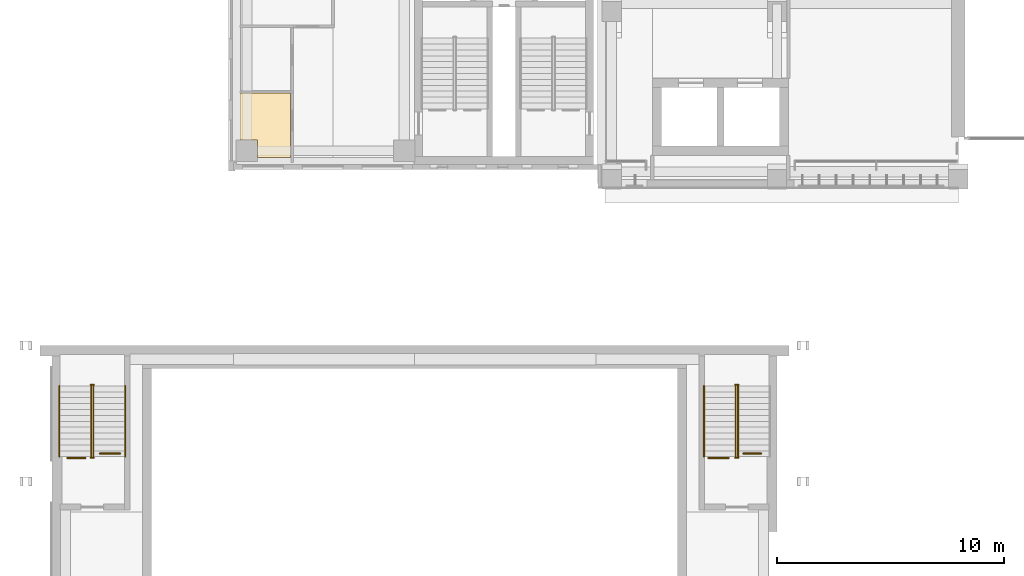
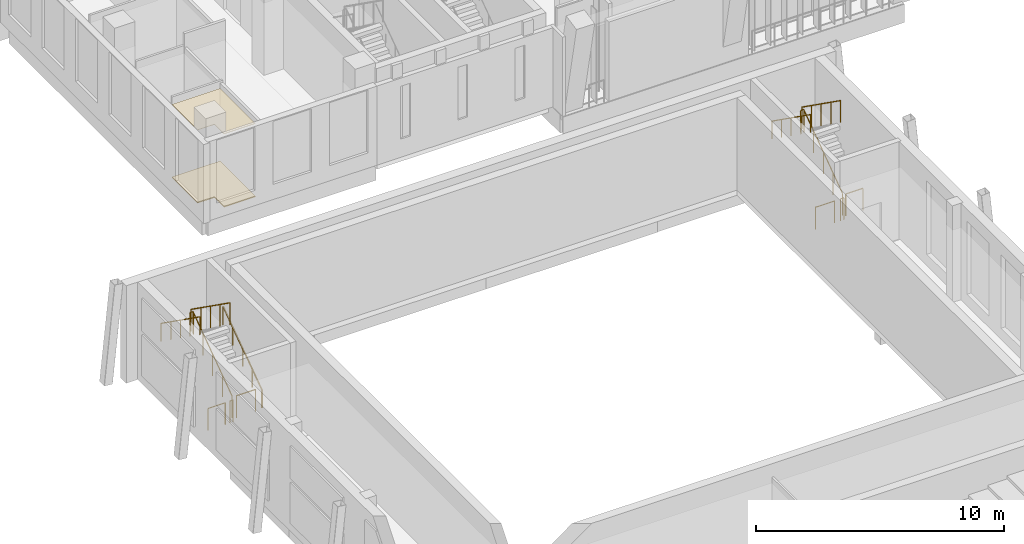
# One storey, part 73 of 92: 15 railings, 2 coverings.
"""IFC4 building model written with IfcOpenShell, lengths in metres."""

import ifcopenshell
import ifcopenshell.guid

model = None  # the IFC model being written
_history = None  # IfcOwnerHistory: only IFC2X3 demands one
_inside = {}  # id of a spatial element -> (the spatial element, [elements in it])
_under = {}  # id of a project, library or spatial element -> (it, [spatial elements below it])
_declared = {}  # id of a project -> (the project, [libraries it declares])
_typed = {}  # id of a type object -> (the type object, [elements of that type])
_made_of = {}  # id of a material, layer set ... -> (it, [elements and type objects made of it])


def new_model(schema):
    """Start an empty IFC model of exactly this schema.

    Asked for "IFC4X3", IfcOpenShell would pick the latest addendum, in which some entities
    have other attributes; the version numbers below select the first issue.
    IFC2X3 requires an IfcOwnerHistory on every rooted entity: one is made here for all.
    """
    global model, _history
    if schema == "IFC4X3":
        model = ifcopenshell.file(schema_version=(4, 3, 0, 0))
    else:
        model = ifcopenshell.file(schema=schema)
    _inside.clear()
    _under.clear()
    _declared.clear()
    _typed.clear()
    _made_of.clear()
    _history = None
    if model.schema == "IFC2X3":
        org = make("IfcOrganization", Name="unknown")
        user = make(
            "IfcPersonAndOrganization",
            ThePerson=make("IfcPerson", FamilyName="unknown"),
            TheOrganization=org,
        )
        app = make(
            "IfcApplication",
            ApplicationDeveloper=org,
            Version="unknown",
            ApplicationFullName="unknown",
            ApplicationIdentifier="unknown",
        )
        _history = make(
            "IfcOwnerHistory",
            OwningUser=user,
            OwningApplication=app,
            ChangeAction="ADDED",
            CreationDate=0,
        )
    return model


def make(cls, **values):
    """One entity of the class cls with the attributes given. An attribute that is None is left unset."""
    return model.create_entity(
        cls, **{name: value for name, value in values.items() if value is not None}
    )


def rooted(cls, **values):
    """An entity with a GlobalId (a new one), such as an element, a storey or a relation."""
    return make(cls, GlobalId=ifcopenshell.guid.new(), OwnerHistory=_history, **values)


def si_unit(unit_type, name, prefix=None):
    """IfcSIUnit, for example si_unit("LENGTHUNIT", "METRE", prefix="MILLI")."""
    return make("IfcSIUnit", UnitType=unit_type, Prefix=prefix, Name=name)


def assignment(units):
    """IfcUnitAssignment: the units of a project."""
    return None if units is None else make("IfcUnitAssignment", Units=units)


def point(xyz):
    """IfcCartesianPoint."""
    return None if xyz is None else make("IfcCartesianPoint", Coordinates=xyz)


def direction(xyz):
    """IfcDirection."""
    return None if xyz is None else make("IfcDirection", DirectionRatios=xyz)


def frame(location, z_axis=None, x_axis=None):
    """IfcAxis2Placement3D, a coordinate frame: its origin and axes. An axis left out is left unset."""
    return make(
        "IfcAxis2Placement3D",
        Location=point(location),
        Axis=direction(z_axis),
        RefDirection=direction(x_axis),
    )


def frame_2d(location, x_axis=None):
    """IfcAxis2Placement2D, a coordinate frame in the plane: its origin and x axis."""
    return make(
        "IfcAxis2Placement2D", Location=point(location), RefDirection=direction(x_axis)
    )


def origin():
    """The frame at (0, 0, 0) with its axes left unset."""
    return frame((0.0, 0.0, 0.0))


def origin_2d():
    """The frame at (0, 0) in the plane with its x axis left unset."""
    return frame_2d((0.0, 0.0))


def place(relative_to, where):
    """IfcLocalPlacement: puts the frame where relative to a parent placement (None: the world)."""
    return make(
        "IfcLocalPlacement", PlacementRelTo=relative_to, RelativePlacement=where
    )


def context(
    kind, dimensions, precision=None, world=None, true_north=None, identifier=None
):
    """IfcGeometricRepresentationContext, for example the 3D "Model" context."""
    return make(
        "IfcGeometricRepresentationContext",
        ContextIdentifier=identifier,
        ContextType=kind,
        CoordinateSpaceDimension=dimensions,
        Precision=precision,
        WorldCoordinateSystem=world,
        TrueNorth=true_north,
    )


def subcontext(parent, identifier, kind, view, scale=None):
    """IfcGeometricRepresentationSubContext, for example "Body" below "Model"."""
    return make(
        "IfcGeometricRepresentationSubContext",
        ContextIdentifier=identifier,
        ContextType=kind,
        ParentContext=parent,
        TargetScale=scale,
        TargetView=view,
    )


def project(units=None, contexts=None):
    """IfcProject with its units and contexts."""
    return rooted(
        "IfcProject",
        Name="project",
        RepresentationContexts=contexts,
        UnitsInContext=assignment(units),
    )


def spatial(cls, under=None, at=None, **own):
    """A site, building, storey or space (cls), placed at a placement, below another one or the project."""
    s = rooted(cls, ObjectPlacement=at, **own)
    if under is not None:
        _under.setdefault(under.id(), (under, []))[1].append(s)
    return s


def polyline(points):
    """IfcPolyline through the points."""
    return make("IfcPolyline", Points=[point(p) for p in points])


def profile(cls, at=None, kind="AREA", **sizes):
    """A parametric profile (cls). Its sizes go by their IFC names, for example OverallWidth=200.0."""
    return make(cls, ProfileType=kind, Position=at, **sizes)


def circle(**sizes):
    """IfcCircleProfileDef."""
    return profile("IfcCircleProfileDef", **sizes)


def outline(outer, holes=None, kind="AREA"):
    """IfcArbitraryClosedProfileDef: a profile drawn as a closed curve; with holes, ...WithVoids."""
    if holes is None:
        return make("IfcArbitraryClosedProfileDef", ProfileType=kind, OuterCurve=outer)
    return make(
        "IfcArbitraryProfileDefWithVoids",
        ProfileType=kind,
        OuterCurve=outer,
        InnerCurves=holes,
    )


def extrude(swept, where, along, depth):
    """IfcExtrudedAreaSolid: the profile swept, set in the frame where, extruded along a direction by depth."""
    return make(
        "IfcExtrudedAreaSolid",
        SweptArea=swept,
        Position=where,
        ExtrudedDirection=direction(along),
        Depth=depth,
    )


def shape(context_of_items, identifier, shape_type, items):
    """IfcShapeRepresentation: the items that make up one representation, for example the "Body"."""
    return make(
        "IfcShapeRepresentation",
        ContextOfItems=context_of_items,
        RepresentationIdentifier=identifier,
        RepresentationType=shape_type,
        Items=items,
    )


def material(Name=None, Category=None):
    """IfcMaterial."""
    return make("IfcMaterial", Name=Name, Category=Category)


def layer(
    of_material, thickness, ventilated=None, Name=None, Category=None, Priority=None
):
    """IfcMaterialLayer: one layer of a wall or slab, of a material (None: an air gap)."""
    return make(
        "IfcMaterialLayer",
        Material=of_material,
        LayerThickness=thickness,
        IsVentilated=ventilated,
        Name=Name,
        Category=Category,
        Priority=Priority,
    )


def layer_set(layers, Name=None):
    """IfcMaterialLayerSet."""
    return make("IfcMaterialLayerSet", MaterialLayers=layers, LayerSetName=Name)


def made_of(thing, what):
    """Note that an element or type object is made of a material, layer set ...; save() writes the relation."""
    if what is not None:
        _made_of.setdefault(what.id(), (what, []))[1].append(thing)
    return thing


def type_object(cls, material=None, **own):
    """A type object (cls), such as IfcWallType, which elements share."""
    return made_of(rooted(cls, **own), material)


def element(
    cls,
    number,
    at=None,
    inside=None,
    cuts=None,
    type_object=None,
    material=None,
    context=None,
    identifier="Body",
    shape_type=None,
    held_by="IfcProductDefinitionShape",
    body=None,
    shapes=None,
    **own,
):
    """One element of the class cls, such as IfcWall. Its Tag is "e" and its number.

    at: its placement. inside: the storey or other place that contains it. cuts: it is an
    opening in that element (IfcRelVoidsElement). A single representation is given by context,
    identifier, shape_type and body (its items); several are given by shapes. held_by: the class
    of the entity that holds the representations. save() writes the other relations.
    """
    e = rooted(cls, Tag="e%d" % number, ObjectPlacement=at, **own)
    if body is not None:
        shapes = [shape(context, identifier, shape_type, body)]
    if shapes is not None:
        e.Representation = make(held_by, Representations=shapes)
    if inside is not None:
        _inside.setdefault(inside.id(), (inside, []))[1].append(e)
    if cuts is not None:
        rooted(
            "IfcRelVoidsElement", RelatingBuildingElement=cuts, RelatedOpeningElement=e
        )
    if type_object is not None:
        _typed.setdefault(type_object.id(), (type_object, []))[1].append(e)
    return made_of(e, material)


def aggregate(whole, parts):
    """IfcRelAggregates: a whole, such as a stair, and the parts it consists of."""
    return rooted("IfcRelAggregates", RelatingObject=whole, RelatedObjects=parts)


def save(model, path):
    """Write the relations noted so far, then the file.

    IfcRelAggregates (storeys below a building ...), IfcRelContainedInSpatialStructure (elements
    in a storey), IfcRelDefinesByType, IfcRelAssociatesMaterial and IfcRelDeclares: one each for
    every whole, place, type object, material and project.
    """
    for whole, parts in _under.values():
        aggregate(whole, parts)
    for where, things in _inside.values():
        rooted(
            "IfcRelContainedInSpatialStructure",
            RelatedElements=things,
            RelatingStructure=where,
        )
    for kind, things in _typed.values():
        rooted("IfcRelDefinesByType", RelatedObjects=things, RelatingType=kind)
    for what, things in _made_of.values():
        rooted("IfcRelAssociatesMaterial", RelatedObjects=things, RelatingMaterial=what)
    for by, libraries in _declared.values():
        rooted("IfcRelDeclares", RelatingContext=by, RelatedDefinitions=libraries)
    model.write(path)


model = new_model("IFC4")

# Units and contexts
model_context = context("Model", 3, precision=1e-05, world=origin(), true_north=direction((0.0, 1.0)))
body_context = subcontext(model_context, "Body", "Model", "MODEL_VIEW")
ifc_project = project(units=[si_unit("LENGTHUNIT", "METRE"), si_unit("AREAUNIT", "SQUARE_METRE"), si_unit("VOLUMEUNIT", "CUBIC_METRE"), si_unit("PLANEANGLEUNIT", "RADIAN"), si_unit("MASSUNIT", "GRAM", prefix="KILO")], contexts=[model_context])

# Site, building, storey
site_placement = place(None, origin())
site = spatial("IfcSite", under=ifc_project, at=site_placement, CompositionType="ELEMENT")
building_placement = place(site_placement, origin())
building = spatial("IfcBuilding", under=site, at=building_placement, Name="Lantern Court Media Centre", CompositionType="ELEMENT")
storey_placement = place(building_placement, frame((0.0, 0.0, 4.800048828125)))
storey = spatial("IfcBuildingStorey", under=building, at=storey_placement, Name="L01", CompositionType="ELEMENT", Elevation=4.800048828125)

# Covering
ifc_material_1 = material(Name="Carpet")
ifc_layer_1 = layer(ifc_material_1, 0.050048828125)
ifc_layer_set_1 = layer_set([ifc_layer_1], Name="Carpet")
covering_type_1 = type_object("IfcCoveringType", Name="Carpet floor finish", PredefinedType="FLOORING", material=ifc_layer_set_1)
covering_1_placement = place(storey_placement, origin())
element("IfcCovering", 1, at=covering_1_placement, inside=storey, type_object=covering_type_1, Name="WC Male floor finish", PredefinedType="FLOORING", context=body_context, shape_type="SweptSolid", body=[
    extrude(outline(polyline([(8.300048828125, 51.14111328125), (10.532470703125, 51.14111328125), (10.532470703125, 48.300048828125), (9.080078125, 48.300048828125), (9.07861328125, 49.07861328125), (8.300048828125, 49.080078125), (8.300048828125, 51.14111328125)])), origin(), (0.0, 0.0, 1.0), 0.050048828125),
])

# Railings
ifc_material_2 = material(Name="Powder-coated steel", Category="steel")
railing_type_1 = type_object("IfcRailingType", Name="Floor edge guard 1100", PredefinedType="GUARDRAIL", material=ifc_material_2)
railing_1_placement = place(storey_placement, frame((0.678955078125, 35.0400390625, 0.0)))
element("IfcRailing", 2, at=railing_1_placement, inside=storey, type_object=railing_type_1, Name="L01 edge guard 1", PredefinedType="GUARDRAIL", context=body_context, shape_type="SweptSolid", body=[
    extrude(circle(Radius=0.02392578125, at=origin_2d()), frame((0.0, 0.0, 1.076171875), z_axis=(1.0, 0.0, 0.0), x_axis=(0.0, 1.0, 0.0)), (0.0, 0.0, 1.0), 0.800048828125),
    extrude(circle(Radius=0.02099609375, at=origin_2d()), origin(), (0.0, 0.0, 1.0), 1.052001953125),
    extrude(circle(Radius=0.02099609375, at=origin_2d()), frame((0.800048828125, 0.0, 0.0)), (0.0, 0.0, 1.0), 1.052001953125),
])
railing_2_placement = place(storey_placement, frame((2.110107421875, 35.239990234375, 0.0)))
element("IfcRailing", 3, at=railing_2_placement, inside=storey, type_object=railing_type_1, Name="L01 edge guard 2", PredefinedType="GUARDRAIL", context=body_context, shape_type="SweptSolid", body=[
    extrude(circle(Radius=0.02392578125, at=origin_2d()), frame((0.0, 0.0, 1.076171875), z_axis=(1.0, 0.0, 0.0), x_axis=(0.0, 1.0, 0.0)), (0.0, 0.0, 1.0), 0.89990234375),
    extrude(circle(Radius=0.02099609375, at=origin_2d()), origin(), (0.0, 0.0, 1.0), 1.052001953125),
    extrude(circle(Radius=0.02099609375, at=origin_2d()), frame((0.89990234375, 0.0, 0.0)), (0.0, 0.0, 1.0), 1.052001953125),
])
railing_3_placement = place(storey_placement, frame((28.969970703125, 35.0400390625, 0.0)))
element("IfcRailing", 4, at=railing_3_placement, inside=storey, type_object=railing_type_1, Name="L01 edge guard 13", PredefinedType="GUARDRAIL", context=body_context, shape_type="SweptSolid", body=[
    extrude(circle(Radius=0.02392578125, at=origin_2d()), frame((0.0, 0.0, 1.076171875), z_axis=(1.0, 0.0, 0.0), x_axis=(0.0, 1.0, 0.0)), (0.0, 0.0, 1.0), 0.900146484375),
    extrude(circle(Radius=0.02099609375, at=origin_2d()), origin(), (0.0, 0.0, 1.0), 1.052001953125),
    extrude(circle(Radius=0.02099609375, at=origin_2d()), frame((0.900146484375, 0.0, 0.0)), (0.0, 0.0, 1.0), 1.052001953125),
])
railing_4_placement = place(storey_placement, frame((30.5009765625, 35.239990234375, 0.0)))
element("IfcRailing", 5, at=railing_4_placement, inside=storey, type_object=railing_type_1, Name="L01 edge guard 14", PredefinedType="GUARDRAIL", context=body_context, shape_type="SweptSolid", body=[
    extrude(circle(Radius=0.02392578125, at=origin_2d()), frame((0.0, 0.0, 1.076171875), z_axis=(1.0, 0.0, 0.0), x_axis=(0.0, 1.0, 0.0)), (0.0, 0.0, 1.0), 0.800048828125),
    extrude(circle(Radius=0.02099609375, at=origin_2d()), origin(), (0.0, 0.0, 1.0), 1.052001953125),
    extrude(circle(Radius=0.02099609375, at=origin_2d()), frame((0.800048828125, 0.0, 0.0)), (0.0, 0.0, 1.0), 1.052001953125),
])
railing_type_2 = type_object("IfcRailingType", Name="Stair guard 1100", PredefinedType="GUARDRAIL", material=ifc_material_2)
railing_5_placement = place(storey_placement, frame((1.825927734375, 35.10009765625, 0.1845703125)))
element("IfcRailing", 6, at=railing_5_placement, inside=storey, type_object=railing_type_2, Name="L01 ST-V1-ST-W stair guard 1", PredefinedType="GUARDRAIL", context=body_context, shape_type="SweptSolid", body=[
    extrude(circle(Radius=0.02392578125, at=origin_2d()), frame((0.0, 0.0, 1.076171875), z_axis=(0.0, 0.815355575968, 0.57896052088), x_axis=(-1.0, 0.0, 0.0)), (0.0, 0.0, 1.0), 3.826416015625),
    extrude(circle(Radius=0.02099609375, at=origin_2d()), origin(), (0.0, 0.0, 1.0), 1.052001953125),
    extrude(circle(Radius=0.02099609375, at=origin_2d()), frame((0.0, 0.780029296875, 0.5537109375)), (0.0, 0.0, 1.0), 1.052001953125),
    extrude(circle(Radius=0.02099609375, at=origin_2d()), frame((0.0, 1.56005859375, 1.107666015625)), (0.0, 0.0, 1.0), 1.052001953125),
    extrude(circle(Radius=0.02099609375, at=origin_2d()), frame((0.0, 2.33984375, 1.66162109375)), (0.0, 0.0, 1.0), 1.052001953125),
    extrude(circle(Radius=0.02099609375, at=origin_2d()), frame((0.0, 3.119873046875, 2.21533203125)), (0.0, 0.0, 1.0), 1.052001953125),
])
railing_6_placement = place(storey_placement, frame((1.85009765625, 38.27001953125, 2.39990234375)))
element("IfcRailing", 7, at=railing_6_placement, inside=storey, type_object=railing_type_2, Name="L01 ST-V1-ST-W stair guard 2", PredefinedType="GUARDRAIL", context=body_context, shape_type="SweptSolid", body=[
    extrude(circle(Radius=0.02392578125, at=origin_2d()), frame((0.0, 0.0, 1.076171875), z_axis=(-1.0, 0.0, 0.0), x_axis=(0.0, -1.0, 0.0)), (0.0, 0.0, 1.0), 0.150146484375),
    extrude(circle(Radius=0.02099609375, at=origin_2d()), origin(), (0.0, 0.0, 1.0), 1.052001953125),
    extrude(circle(Radius=0.02099609375, at=origin_2d()), frame((-0.150146484375, 0.0, 0.0)), (0.0, 0.0, 1.0), 1.052001953125),
])
railing_7_placement = place(storey_placement, frame((1.72412109375, 38.219970703125, 2.58447265625)))
element("IfcRailing", 8, at=railing_7_placement, inside=storey, type_object=railing_type_2, Name="L01 ST-V1-ST-W stair guard 3", PredefinedType="GUARDRAIL", context=body_context, shape_type="SweptSolid", body=[
    extrude(circle(Radius=0.02392578125, at=origin_2d()), frame((0.0, 0.0, 1.076171875), z_axis=(0.0, -0.815325456587, 0.579002935952), x_axis=(1.0, 0.0, 0.0)), (0.0, 0.0, 1.0), 3.826416015625),
    extrude(circle(Radius=0.02099609375, at=origin_2d()), origin(), (0.0, 0.0, 1.0), 1.052001953125),
    extrude(circle(Radius=0.02099609375, at=origin_2d()), frame((0.0, -0.780029296875, 0.553955078125)), (0.0, 0.0, 1.0), 1.052001953125),
    extrude(circle(Radius=0.02099609375, at=origin_2d()), frame((0.0, -1.56005859375, 1.10791015625)), (0.0, 0.0, 1.0), 1.052001953125),
    extrude(circle(Radius=0.02099609375, at=origin_2d()), frame((0.0, -2.33984375, 1.66162109375)), (0.0, 0.0, 1.0), 1.052001953125),
    extrude(circle(Radius=0.02099609375, at=origin_2d()), frame((0.0, -3.119873046875, 2.215576171875)), (0.0, 0.0, 1.0), 1.052001953125),
])
railing_8_placement = place(storey_placement, frame((1.85009765625, 35.050048828125, 0.0)))
element("IfcRailing", 9, at=railing_8_placement, inside=storey, type_object=railing_type_2, Name="L01 ST-V1-ST-W stair guard 4", PredefinedType="GUARDRAIL", context=body_context, shape_type="SweptSolid", body=[
    extrude(circle(Radius=0.02392578125, at=origin_2d()), frame((0.0, 0.0, 1.076171875), z_axis=(-1.0, 0.0, 0.0), x_axis=(0.0, -1.0, 0.0)), (0.0, 0.0, 1.0), 0.150146484375),
    extrude(circle(Radius=0.02099609375, at=origin_2d()), origin(), (0.0, 0.0, 1.0), 1.052001953125),
    extrude(circle(Radius=0.02099609375, at=origin_2d()), frame((-0.150146484375, 0.0, 0.0)), (0.0, 0.0, 1.0), 1.052001953125),
])
railing_9_placement = place(storey_placement, frame((30.27587890625, 35.10009765625, 0.1845703125)))
element("IfcRailing", 10, at=railing_9_placement, inside=storey, type_object=railing_type_2, Name="L01 ST-V1-ST-E stair guard 1", PredefinedType="GUARDRAIL", context=body_context, shape_type="SweptSolid", body=[
    extrude(circle(Radius=0.02392578125, at=origin_2d()), frame((0.0, 0.0, 1.076171875), z_axis=(0.0, 0.815355575968, 0.57896052088), x_axis=(-1.0, 0.0, 0.0)), (0.0, 0.0, 1.0), 3.826416015625),
    extrude(circle(Radius=0.02099609375, at=origin_2d()), origin(), (0.0, 0.0, 1.0), 1.052001953125),
    extrude(circle(Radius=0.02099609375, at=origin_2d()), frame((0.0, 0.780029296875, 0.5537109375)), (0.0, 0.0, 1.0), 1.052001953125),
    extrude(circle(Radius=0.02099609375, at=origin_2d()), frame((0.0, 1.56005859375, 1.107666015625)), (0.0, 0.0, 1.0), 1.052001953125),
    extrude(circle(Radius=0.02099609375, at=origin_2d()), frame((0.0, 2.33984375, 1.66162109375)), (0.0, 0.0, 1.0), 1.052001953125),
    extrude(circle(Radius=0.02099609375, at=origin_2d()), frame((0.0, 3.119873046875, 2.21533203125)), (0.0, 0.0, 1.0), 1.052001953125),
])
railing_10_placement = place(storey_placement, frame((30.300048828125, 38.27001953125, 2.39990234375)))
element("IfcRailing", 11, at=railing_10_placement, inside=storey, type_object=railing_type_2, Name="L01 ST-V1-ST-E stair guard 2", PredefinedType="GUARDRAIL", context=body_context, shape_type="SweptSolid", body=[
    extrude(circle(Radius=0.02392578125, at=origin_2d()), frame((0.0, 0.0, 1.076171875), z_axis=(-1.0, 0.0, 0.0), x_axis=(0.0, -1.0, 0.0)), (0.0, 0.0, 1.0), 0.150146484375),
    extrude(circle(Radius=0.02099609375, at=origin_2d()), origin(), (0.0, 0.0, 1.0), 1.052001953125),
    extrude(circle(Radius=0.02099609375, at=origin_2d()), frame((-0.150146484375, 0.0, 0.0)), (0.0, 0.0, 1.0), 1.052001953125),
])
railing_11_placement = place(storey_placement, frame((30.174072265625, 38.219970703125, 2.58447265625)))
element("IfcRailing", 12, at=railing_11_placement, inside=storey, type_object=railing_type_2, Name="L01 ST-V1-ST-E stair guard 3", PredefinedType="GUARDRAIL", context=body_context, shape_type="SweptSolid", body=[
    extrude(circle(Radius=0.02392578125, at=origin_2d()), frame((0.0, 0.0, 1.076171875), z_axis=(0.0, -0.815325456587, 0.579002935952), x_axis=(1.0, 0.0, 0.0)), (0.0, 0.0, 1.0), 3.826416015625),
    extrude(circle(Radius=0.02099609375, at=origin_2d()), origin(), (0.0, 0.0, 1.0), 1.052001953125),
    extrude(circle(Radius=0.02099609375, at=origin_2d()), frame((0.0, -0.780029296875, 0.553955078125)), (0.0, 0.0, 1.0), 1.052001953125),
    extrude(circle(Radius=0.02099609375, at=origin_2d()), frame((0.0, -1.56005859375, 1.10791015625)), (0.0, 0.0, 1.0), 1.052001953125),
    extrude(circle(Radius=0.02099609375, at=origin_2d()), frame((0.0, -2.33984375, 1.66162109375)), (0.0, 0.0, 1.0), 1.052001953125),
    extrude(circle(Radius=0.02099609375, at=origin_2d()), frame((0.0, -3.119873046875, 2.215576171875)), (0.0, 0.0, 1.0), 1.052001953125),
])
railing_12_placement = place(storey_placement, frame((30.300048828125, 35.050048828125, 0.0)))
element("IfcRailing", 13, at=railing_12_placement, inside=storey, type_object=railing_type_2, Name="L01 ST-V1-ST-E stair guard 4", PredefinedType="GUARDRAIL", context=body_context, shape_type="SweptSolid", body=[
    extrude(circle(Radius=0.02392578125, at=origin_2d()), frame((0.0, 0.0, 1.076171875), z_axis=(-1.0, 0.0, 0.0), x_axis=(0.0, -1.0, 0.0)), (0.0, 0.0, 1.0), 0.150146484375),
    extrude(circle(Radius=0.02099609375, at=origin_2d()), origin(), (0.0, 0.0, 1.0), 1.052001953125),
    extrude(circle(Radius=0.02099609375, at=origin_2d()), frame((-0.150146484375, 0.0, 0.0)), (0.0, 0.0, 1.0), 1.052001953125),
])
railing_type_3 = type_object("IfcRailingType", Name="Stair handrail 900", PredefinedType="HANDRAIL", material=ifc_material_2)
railing_13_placement = place(storey_placement, frame((3.22412109375, 35.10009765625, 0.1845703125)))
element("IfcRailing", 14, at=railing_13_placement, inside=storey, type_object=railing_type_3, Name="L01 ST-V1-ST-W stair handrail 1", PredefinedType="HANDRAIL", context=body_context, shape_type="SweptSolid", body=[
    extrude(circle(Radius=0.02392578125, at=origin_2d()), frame((0.0, 0.0, 0.8759765625), z_axis=(0.0, 0.815355575968, 0.57896052088), x_axis=(-1.0, 0.0, 0.0)), (0.0, 0.0, 1.0), 3.826416015625),
    extrude(circle(Radius=0.02099609375, at=origin_2d()), origin(), (0.0, 0.0, 1.0), 0.851806640625),
    extrude(circle(Radius=0.02099609375, at=origin_2d()), frame((0.0, 0.780029296875, 0.5537109375)), (0.0, 0.0, 1.0), 0.851806640625),
    extrude(circle(Radius=0.02099609375, at=origin_2d()), frame((0.0, 1.56005859375, 1.107666015625)), (0.0, 0.0, 1.0), 0.851806640625),
    extrude(circle(Radius=0.02099609375, at=origin_2d()), frame((0.0, 2.33984375, 1.66162109375)), (0.0, 0.0, 1.0), 0.851806640625),
    extrude(circle(Radius=0.02099609375, at=origin_2d()), frame((0.0, 3.119873046875, 2.21533203125)), (0.0, 0.0, 1.0), 0.851806640625),
])
for number, where, name in (
    (15, (0.325927734375, 38.219970703125, 2.58447265625), "L01 ST-V1-ST-W stair handrail 2"),
    (16, (28.77587890625, 38.219970703125, 2.58447265625), "L01 ST-V1-ST-E stair handrail 2"),
):
    element("IfcRailing", number, at=place(storey_placement, frame(where)), inside=storey, type_object=railing_type_3, Name=name, PredefinedType="HANDRAIL", context=body_context, shape_type="SweptSolid", body=[
        extrude(circle(Radius=0.02392578125, at=origin_2d()), frame((0.0, 0.0, 0.8759765625), z_axis=(0.0, -0.815325456587, 0.579002935952), x_axis=(1.0, 0.0, 0.0)), (0.0, 0.0, 1.0), 3.826416015625),
        extrude(circle(Radius=0.02099609375, at=origin_2d()), origin(), (0.0, 0.0, 1.0), 0.851806640625),
        extrude(circle(Radius=0.02099609375, at=origin_2d()), frame((0.0, -0.780029296875, 0.553955078125)), (0.0, 0.0, 1.0), 0.851806640625),
        extrude(circle(Radius=0.02099609375, at=origin_2d()), frame((0.0, -1.56005859375, 1.10791015625)), (0.0, 0.0, 1.0), 0.851806640625),
        extrude(circle(Radius=0.02099609375, at=origin_2d()), frame((0.0, -2.33984375, 1.66162109375)), (0.0, 0.0, 1.0), 0.851806640625),
        extrude(circle(Radius=0.02099609375, at=origin_2d()), frame((0.0, -3.119873046875, 2.215576171875)), (0.0, 0.0, 1.0), 0.851806640625),
    ])

# Covering
ifc_material_3 = material(Name="Mineral fibre ceiling tile")
ifc_layer_2 = layer(ifc_material_3, 0.02001953125)
ifc_layer_set_2 = layer_set([ifc_layer_2], Name="Mineral fibre ceiling tile")
covering_type_2 = type_object("IfcCoveringType", Name="Suspended ceiling tile", PredefinedType="CEILING", material=ifc_layer_set_2)
covering_2_placement = place(storey_placement, frame((0.0, 0.0, 3.599853515625)))
element("IfcCovering", 17, at=covering_2_placement, inside=storey, type_object=covering_type_2, Name="WC Male ceiling", PredefinedType="CEILING", context=body_context, shape_type="SweptSolid", body=[
    extrude(outline(polyline([(8.300048828125, 51.1455078125), (10.537109375, 51.1455078125), (10.537109375, 48.300048828125), (9.075439453125, 48.300048828125), (9.075439453125, 49.075439453125), (8.300048828125, 49.075439453125), (8.300048828125, 51.1455078125)])), origin(), (0.0, 0.0, 1.0), 0.02001953125),
])

save(model, "model.ifc")
